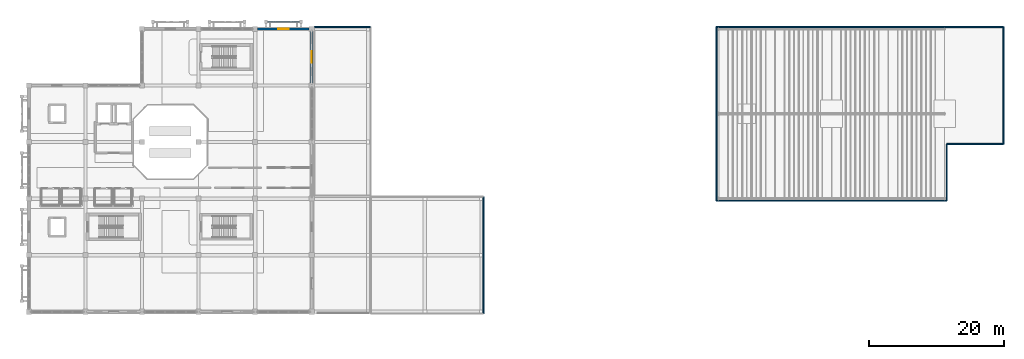
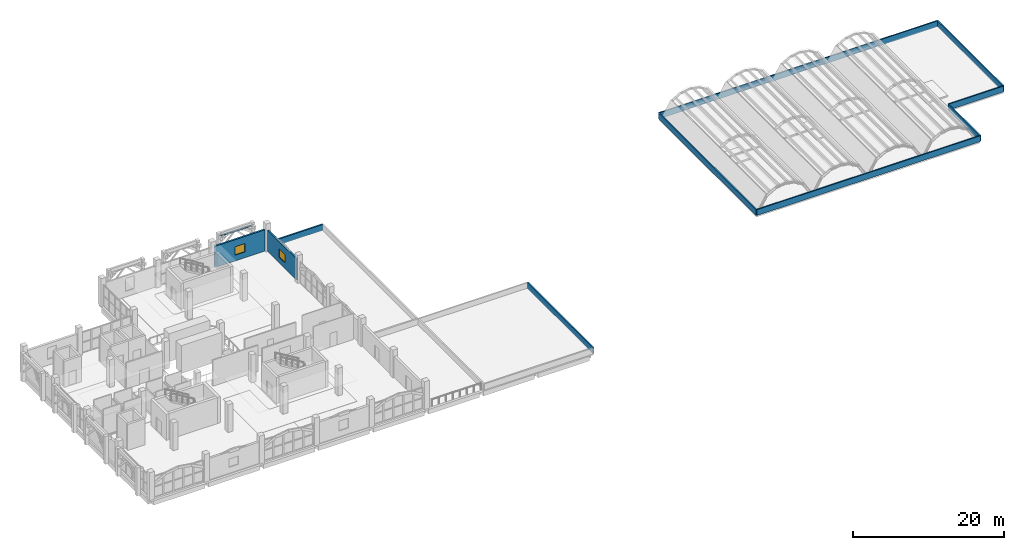
# One storey, part 28 of 34: 11 walls, 2 windows, 2 openings.
"""IFC4 building model written with IfcOpenShell, lengths in metres."""

from ifc_helpers import new_model, si_unit, direction, frame, frame_2d, origin, place, context, subcontext, project, spatial, rectangle, extrude, material, layer, layer_set, type_object, element, fill, save


model = new_model("IFC4")

# Units and contexts
model_context = context("Model", 3, precision=1e-05, world=origin(), true_north=direction((0.0, 1.0)))
body_context = subcontext(model_context, "Body", "Model", "MODEL_VIEW")
ifc_project = project(units=[si_unit("LENGTHUNIT", "METRE"), si_unit("AREAUNIT", "SQUARE_METRE"), si_unit("VOLUMEUNIT", "CUBIC_METRE"), si_unit("PLANEANGLEUNIT", "RADIAN"), si_unit("MASSUNIT", "GRAM", prefix="KILO")], contexts=[model_context])

# Site, building, storey
site_placement = place(None, origin())
site = spatial("IfcSite", under=ifc_project, at=site_placement, CompositionType="ELEMENT")
building_placement = place(site_placement, origin())
building = spatial("IfcBuilding", under=site, at=building_placement, Name="Xazarin Passage Department Store", CompositionType="ELEMENT")
storey_placement = place(building_placement, frame((0.0, 0.0, 18.89990234375)))
storey = spatial("IfcBuildingStorey", under=building, at=storey_placement, Name="L04", CompositionType="ELEMENT", Elevation=18.89990234375)

# Wall, opening, window
ifc_material_1 = material(Name="Precast concrete C40/50", Category="concrete")
ifc_layer_1 = layer(ifc_material_1, 0.239990234375)
ifc_layer_set_1 = layer_set([ifc_layer_1], Name="Precast concrete C40/50")
wall_type_1 = type_object("IfcWallType", Name="ARC-W-EXT240", PredefinedType="SOLIDWALL", material=ifc_layer_set_1)
wall_1_placement = place(storey_placement, frame((42.0, 101.97509765625, 0.0), z_axis=(0.0, 0.0, 1.0), x_axis=(0.0, 1.0, 0.0)))
wall_1 = element("IfcWall", 1, at=wall_1_placement, inside=storey, type_object=wall_type_1, Name="L04 V1 Exterior Wall 059", PredefinedType="SOLIDWALL", context=body_context, shape_type="SweptSolid", body=[
    extrude(rectangle(XDim=7.64990234375, YDim=0.239990234375, at=frame_2d((3.824951171875, 0.0))), origin(), (0.0, 0.0, 1.0), 3.4501953125),
])
opening_1_placement = place(wall_1_placement, frame((2.97509765625, 0.0, 0.949951171875)))
opening_1 = element("IfcOpeningElement", 2, at=opening_1_placement, cuts=wall_1, Name="Opening W21", PredefinedType="OPENING", context=body_context, shape_type="SweptSolid", body=[
    extrude(rectangle(XDim=1.699951171875, YDim=1.35009765625, at=frame_2d((0.85009765625, 0.675048828125))), frame((0.0, 0.1298828125, 0.0), z_axis=(0.0, -1.0, 0.0), x_axis=(1.0, 0.0, 0.0)), (0.0, 0.0, 1.0), 0.260009765625),
])
ifc_material_2 = material(Name="Low-E laminated safety glass", Category="glass")
window_type_1 = type_object("IfcWindowType", Name="ARC-WIN-W21", PartitioningType="DOUBLE_PANEL_VERTICAL", PredefinedType="WINDOW", material=ifc_material_2)
window_1_placement = place(opening_1_placement, origin())
window_1 = element("IfcWindow", 3, at=window_1_placement, inside=storey, type_object=window_type_1, Name="L04 V1 Facade Window 0021", OverallHeight=1.35009765625, OverallWidth=1.699951171875, PartitioningType="DOUBLE_PANEL_VERTICAL", PredefinedType="WINDOW", context=body_context, shape_type="SweptSolid", body=[
    extrude(rectangle(XDim=1.699951171875, YDim=1.35009765625, at=frame_2d((0.85009765625, 0.675048828125))), frame((0.0, 0.030029296875, 0.0), z_axis=(0.0, -1.0, 0.0), x_axis=(1.0, 0.0, 0.0)), (0.0, 0.0, 1.0), 0.06005859375),
])
fill(opening_1, window_1)

ifc_layer_2 = layer(ifc_material_1, 0.260009765625)
ifc_layer_set_2 = layer_set([ifc_layer_2], Name="Precast concrete C40/50")
wall_type_2 = type_object("IfcWallType", Name="ARC-W-EXT260", PredefinedType="SOLIDWALL", material=ifc_layer_set_2)
wall_2_placement = place(storey_placement, frame((33.97509765625, 110.0, 0.0), z_axis=(0.0, 0.0, 1.0), x_axis=(1.0, 0.0, 0.0)))
wall_2 = element("IfcWall", 4, at=wall_2_placement, inside=storey, type_object=wall_type_2, Name="L04 V1 Exterior Wall 053", PredefinedType="SOLIDWALL", context=body_context, shape_type="SweptSolid", body=[
    extrude(rectangle(XDim=7.64990234375, YDim=0.260009765625, at=frame_2d((3.824951171875, 0.0))), origin(), (0.0, 0.0, 1.0), 3.4501953125),
])
opening_2_placement = place(wall_2_placement, frame((3.050048828125, 0.0, 0.949951171875)))
opening_2 = element("IfcOpeningElement", 5, at=opening_2_placement, cuts=wall_2, Name="Opening W17", PredefinedType="OPENING", context=body_context, shape_type="SweptSolid", body=[
    extrude(rectangle(XDim=1.550048828125, YDim=1.35009765625, at=frame_2d((0.77490234375, 0.675048828125))), frame((0.0, 0.139892578125, 0.0), z_axis=(0.0, -1.0, 0.0), x_axis=(1.0, 0.0, 0.0)), (0.0, 0.0, 1.0), 0.280029296875),
])
window_type_2 = type_object("IfcWindowType", Name="ARC-WIN-W17", PartitioningType="SINGLE_PANEL", PredefinedType="WINDOW", material=ifc_material_2)
window_2_placement = place(opening_2_placement, origin())
window_2 = element("IfcWindow", 6, at=window_2_placement, inside=storey, type_object=window_type_2, Name="L04 V1 Facade Window 0017", OverallHeight=1.35009765625, OverallWidth=1.550048828125, PartitioningType="SINGLE_PANEL", PredefinedType="WINDOW", context=body_context, shape_type="SweptSolid", body=[
    extrude(rectangle(XDim=1.550048828125, YDim=1.35009765625, at=frame_2d((0.77490234375, 0.675048828125))), frame((0.0, 0.030029296875, 0.0), z_axis=(0.0, -1.0, 0.0), x_axis=(1.0, 0.0, 0.0)), (0.0, 0.0, 1.0), 0.06005859375),
])
fill(opening_2, window_2)

# Walls
ifc_layer_3 = layer(ifc_material_1, 0.18994140625)
ifc_layer_set_3 = layer_set([ifc_layer_3], Name="Precast concrete C40/50")
wall_type_3 = type_object("IfcWallType", Name="ARC-W-PAR190", PredefinedType="PARAPET", material=ifc_layer_set_3)
wall_3_placement = place(storey_placement, frame((35.469970703125, 111.050048828125, 3.880126953125), z_axis=(0.0, 0.0, 1.0), x_axis=(1.0, 0.0, 0.0)))
element("IfcWall", 7, at=wall_3_placement, inside=storey, type_object=wall_type_3, Name="L04 V1 Pierced-Arch Spandrel Lintel 0021", PredefinedType="PARAPET", context=body_context, shape_type="SweptSolid", body=[
    extrude(rectangle(XDim=4.659912109375, YDim=0.18994140625, at=frame_2d((2.330078125, 0.0))), origin(), (0.0, 0.0, 1.0), 0.119873046875),
])
wall_4_placement = place(storey_placement, frame((102.10009765625, 84.5, 0.0), z_axis=(0.0, 0.0, 1.0), x_axis=(1.0, 0.0, 0.0)))
element("IfcWall", 8, at=wall_4_placement, inside=storey, type_object=wall_type_3, Name="L04 Roof Parapet 052", PredefinedType="PARAPET", context=body_context, shape_type="SweptSolid", body=[
    extrude(rectangle(XDim=34.199951171875, YDim=0.18994140625, at=frame_2d((17.10009765625, 0.0))), origin(), (0.0, 0.0, 1.0), 0.9501953125),
])
for number, where, z_axis, x_axis, name in (
    (9, (136.300048828125, 84.5, 0.0), (0.0, 0.0, 1.0), (0.0, 1.0, 0.0), "L04 Roof Parapet 053"),
    (10, (136.300048828125, 92.89990234375, 0.0), (0.0, 0.0, 1.0), (1.0, 0.0, 0.0), "L04 Roof Parapet 054"),
):
    element("IfcWall", number, at=place(storey_placement, frame(where, z_axis=z_axis, x_axis=x_axis)), inside=storey, type_object=wall_type_3, Name=name, PredefinedType="PARAPET", context=body_context, shape_type="SweptSolid", body=[
        extrude(rectangle(XDim=8.39990234375, YDim=0.18994140625, at=frame_2d((4.199951171875, 0.0))), origin(), (0.0, 0.0, 1.0), 0.9501953125),
    ])
wall_5_placement = place(storey_placement, frame((144.699951171875, 92.89990234375, 0.0), z_axis=(0.0, 0.0, 1.0), x_axis=(0.0, 1.0, 0.0)))
element("IfcWall", 11, at=wall_5_placement, inside=storey, type_object=wall_type_3, Name="L04 Roof Parapet 055", PredefinedType="PARAPET", context=body_context, shape_type="SweptSolid", body=[
    extrude(rectangle(XDim=17.400146484375, YDim=0.18994140625, at=frame_2d((8.7001953125, 0.0))), origin(), (0.0, 0.0, 1.0), 0.9501953125),
])
wall_6_placement = place(storey_placement, frame((144.699951171875, 110.300048828125, 0.0), z_axis=(0.0, 0.0, 1.0), x_axis=(-1.0, 0.0, 0.0)))
element("IfcWall", 12, at=wall_6_placement, inside=storey, type_object=wall_type_3, Name="L04 Roof Parapet 056", PredefinedType="PARAPET", context=body_context, shape_type="SweptSolid", body=[
    extrude(rectangle(XDim=42.599853515625, YDim=0.18994140625, at=frame_2d((21.2998046875, 0.0))), origin(), (0.0, 0.0, 1.0), 0.9501953125),
])
wall_7_placement = place(storey_placement, frame((102.10009765625, 110.300048828125, 0.0), z_axis=(0.0, 0.0, 1.0), x_axis=(0.0, -1.0, 0.0)))
element("IfcWall", 13, at=wall_7_placement, inside=storey, type_object=wall_type_3, Name="L04 Roof Parapet 057", PredefinedType="PARAPET", context=body_context, shape_type="SweptSolid", body=[
    extrude(rectangle(XDim=25.800048828125, YDim=0.18994140625, at=frame_2d((12.89990234375, 0.0))), origin(), (0.0, 0.0, 1.0), 0.9501953125),
])
ifc_layer_4 = layer(ifc_material_1, 0.2099609375)
ifc_layer_set_4 = layer_set([ifc_layer_4], Name="Precast concrete C40/50")
wall_type_4 = type_object("IfcWallType", Name="ARC-W-PAR210", PredefinedType="PARAPET", material=ifc_layer_set_4)
wall_8_placement = place(storey_placement, frame((67.5, 67.699951171875, 0.0), z_axis=(0.0, 0.0, 1.0), x_axis=(0.0, 1.0, 0.0)))
element("IfcWall", 14, at=wall_8_placement, inside=storey, type_object=wall_type_4, Name="L04 Roof Parapet 017", PredefinedType="PARAPET", context=body_context, shape_type="SweptSolid", body=[
    extrude(rectangle(XDim=17.400146484375, YDim=0.2099609375, at=frame_2d((8.7001953125, 0.0))), origin(), (0.0, 0.0, 1.0), 0.9501953125),
])
ifc_layer_5 = layer(ifc_material_1, 0.22998046875)
ifc_layer_set_5 = layer_set([ifc_layer_5], Name="Precast concrete C40/50")
wall_type_5 = type_object("IfcWallType", Name="ARC-W-PAR230", PredefinedType="PARAPET", material=ifc_layer_set_5)
wall_9_placement = place(storey_placement, frame((50.699951171875, 110.300048828125, 0.0), z_axis=(0.0, 0.0, 1.0), x_axis=(-1.0, 0.0, 0.0)))
element("IfcWall", 15, at=wall_9_placement, inside=storey, type_object=wall_type_5, Name="L04 Roof Parapet 024", PredefinedType="PARAPET", context=body_context, shape_type="SweptSolid", body=[
    extrude(rectangle(XDim=8.349853515625, YDim=0.22998046875, at=frame_2d((4.1748046875, 0.0))), origin(), (0.0, 0.0, 1.0), 0.9501953125),
])

save(model, "model.ifc")
